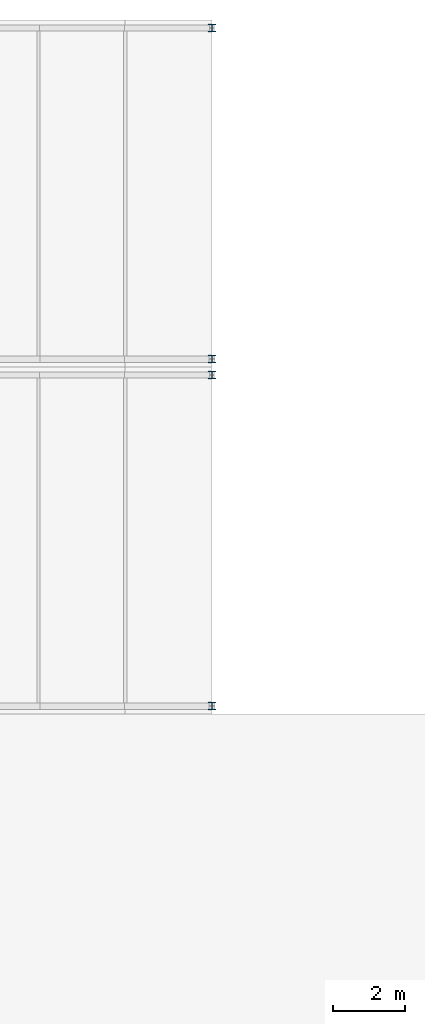
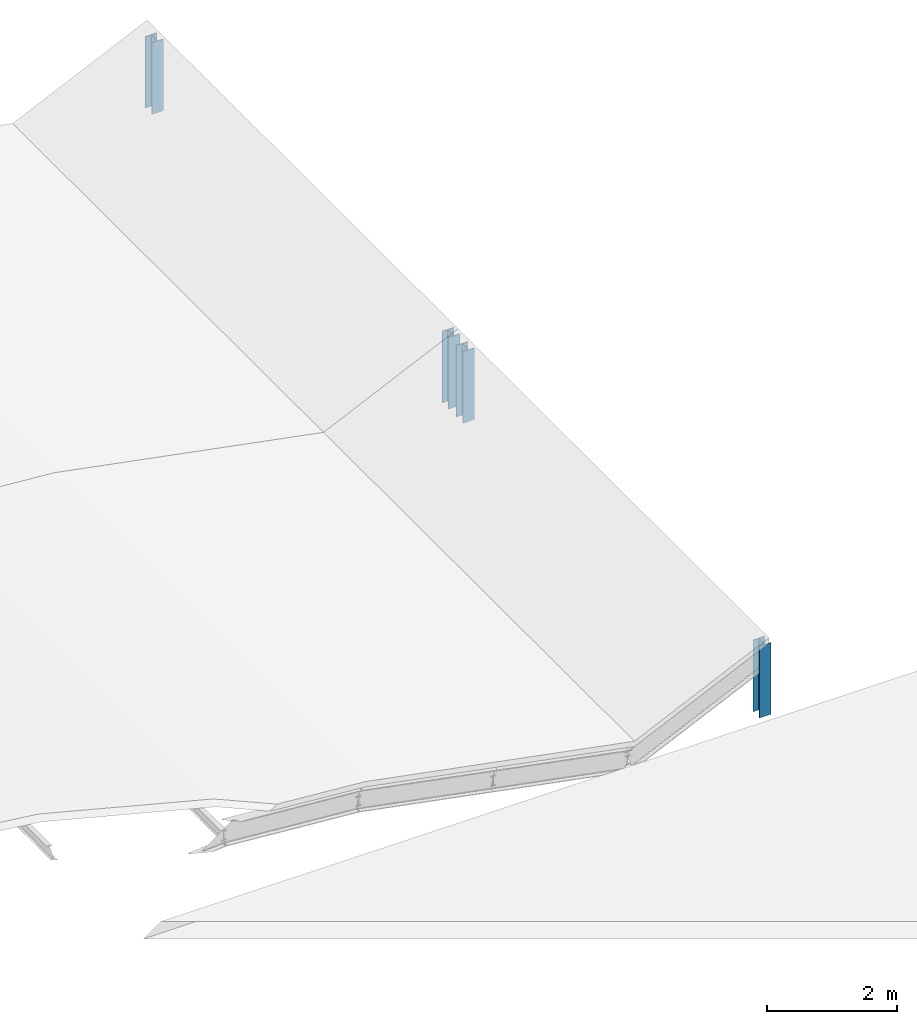
# One storey, part 15 of 170: 4 columns.
"""IFC4 building model written with IfcOpenShell, lengths in metres."""

from ifc_helpers import new_model, si_unit, direction, frame, origin, origin_2d, place, context, subcontext, project, spatial, i_section, extrude, material, material_profile, profile_set, type_object, element, save


model = new_model("IFC4")

# Units and contexts
model_context = context("Model", 3, precision=1e-05, world=origin(), true_north=direction((0.0, 1.0)))
body_context = subcontext(model_context, "Body", "Model", "MODEL_VIEW")
ifc_project = project(units=[si_unit("LENGTHUNIT", "METRE"), si_unit("AREAUNIT", "SQUARE_METRE"), si_unit("VOLUMEUNIT", "CUBIC_METRE"), si_unit("PLANEANGLEUNIT", "RADIAN"), si_unit("MASSUNIT", "GRAM", prefix="KILO")], contexts=[model_context])

# Site, building, storey
site_placement = place(None, origin())
site = spatial("IfcSite", under=ifc_project, at=site_placement, CompositionType="ELEMENT")
building_placement = place(site_placement, origin())
building = spatial("IfcBuilding", under=site, at=building_placement, Name="Coralgate Yard Interchange", CompositionType="ELEMENT")
storey_placement = place(building_placement, frame((0.0, 0.0, 6.0)))
storey = spatial("IfcBuildingStorey", under=building, at=storey_placement, Name="L01", CompositionType="ELEMENT", Elevation=6.0)

# Columns
ifc_material = material(Name="Structural steel S355J2", Category="steel")
ifc_material_profile = material_profile(ifc_material, i_section(OverallWidth=0.205810546875, OverallDepth=0.209716796875, WebThickness=0.009521484375, FlangeThickness=0.01416015625, FilletRadius=0.01025390625, at=origin_2d()), Name="UC 203x203x60")
ifc_profile_set = profile_set([ifc_material_profile], Name="Structural steel S355J2")
column_type = type_object("IfcColumnType", Name="COL-SC-9", PredefinedType="COLUMN", material=ifc_profile_set)
for number, where, z_axis, x_axis, name in (
    (1, (172.800048828125, 96.219970703125, 0.001953125), (0.0, 0.0, 1.0), (1.0, 0.0, 0.0), "Wave-shell upturned east strut R1-S"),
    (2, (172.800048828125, 105.3798828125, 0.001953125), (0.0, 0.0, 1.0), (1.0, 0.0, 0.0), "Wave-shell upturned east strut R1-N"),
    (3, (172.800048828125, 105.820068359375, 0.001953125), (0.0, 0.0, 1.0), (1.0, 0.0, 0.0), "Wave-shell upturned east strut R2-S"),
    (4, (172.800048828125, 114.97998046875, 0.001953125), (0.0, 0.0, 1.0), (1.0, 0.0, 0.0), "Wave-shell upturned east strut R2-N"),
):
    element("IfcColumn", number, at=place(storey_placement, frame(where, z_axis=z_axis, x_axis=x_axis)), inside=storey, type_object=column_type, Name=name, PredefinedType="COLUMN", context=body_context, shape_type="SweptSolid", body=[
        extrude(i_section(OverallWidth=0.205810546875, OverallDepth=0.209716796875, WebThickness=0.009521484375, FlangeThickness=0.01416015625, FilletRadius=0.01025390625, at=origin_2d()), origin(), (0.0, 0.0, 1.0), 1.34814453125),
    ])

save(model, "model.ifc")
